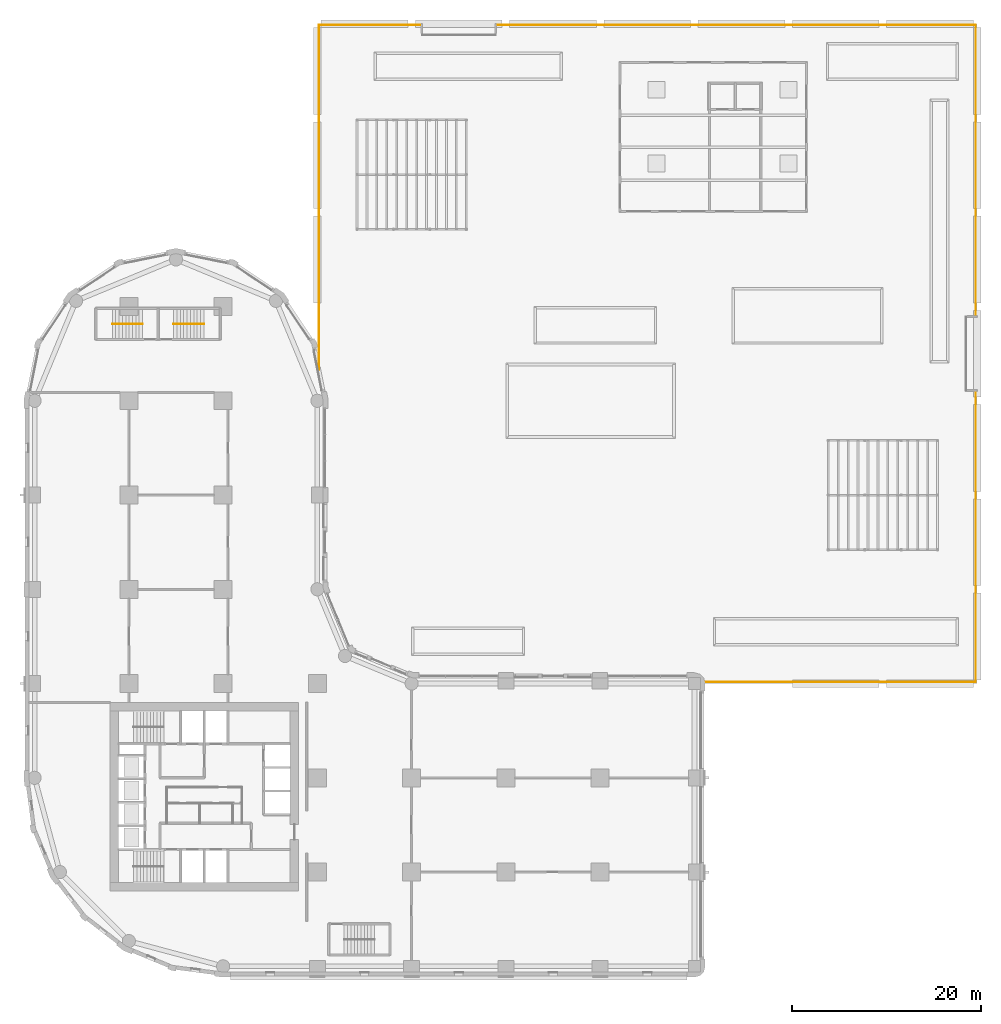
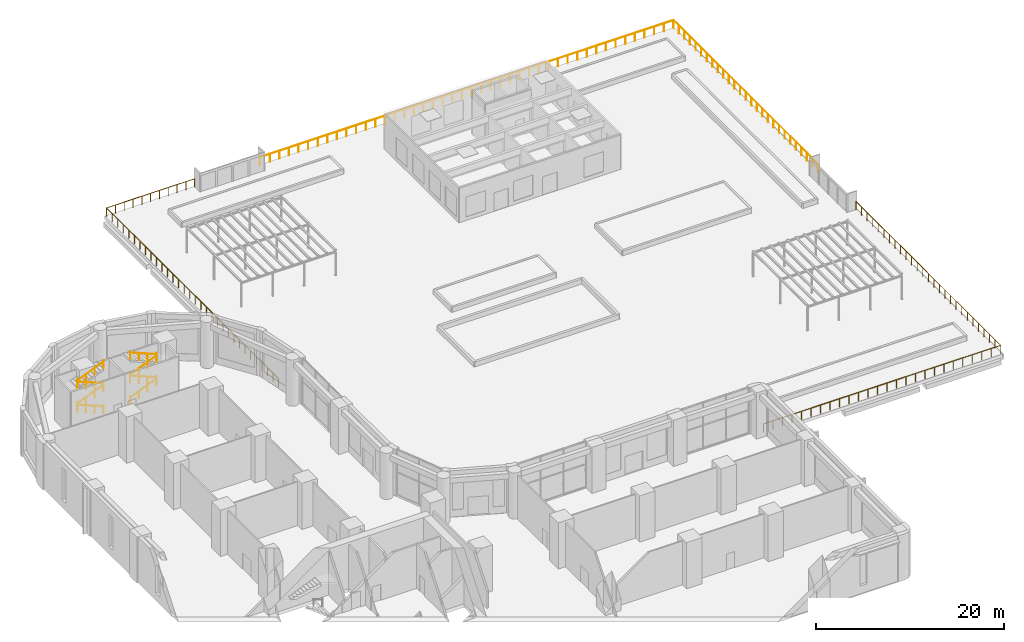
# One storey, part 27 of 28: 11 railings.
"""IFC4 building model written with IfcOpenShell, lengths in metres."""

from ifc_helpers import new_model, si_unit, direction, frame, origin, origin_2d, place, context, subcontext, project, spatial, circle, extrude, material, type_object, element, save


model = new_model("IFC4")

# Units and contexts
model_context = context("Model", 3, precision=1e-05, world=origin(), true_north=direction((0.0, 1.0)))
body_context = subcontext(model_context, "Body", "Model", "MODEL_VIEW")
ifc_project = project(units=[si_unit("LENGTHUNIT", "METRE"), si_unit("AREAUNIT", "SQUARE_METRE"), si_unit("VOLUMEUNIT", "CUBIC_METRE"), si_unit("PLANEANGLEUNIT", "RADIAN"), si_unit("MASSUNIT", "GRAM", prefix="KILO")], contexts=[model_context])

# Site, building, storey
site_placement = place(None, origin())
site = spatial("IfcSite", under=ifc_project, at=site_placement, CompositionType="ELEMENT")
building_placement = place(site_placement, origin())
building = spatial("IfcBuilding", under=site, at=building_placement, Name="Qaws Garden Tower", CompositionType="ELEMENT")
storey_placement = place(building_placement, frame((0.0, 0.0, 6.0)))
storey = spatial("IfcBuildingStorey", under=building, at=storey_placement, Name="L01", CompositionType="ELEMENT", Elevation=6.0)

# Railings
ifc_material_1 = material(Name="Glass and steel S355", Category="steel")
railing_type_1 = type_object("IfcRailingType", Name="Guard glass balustrade 1100", PredefinedType="GUARDRAIL", material=ifc_material_1)
railing_1_placement = place(storey_placement, frame((99.85009765625, 60.969970703125, 0.0)))
element("IfcRailing", 1, at=railing_1_placement, inside=storey, type_object=railing_type_1, Name="Deck guard", PredefinedType="GUARDRAIL", context=body_context, shape_type="SweptSolid", body=[
    extrude(circle(Radius=0.02392578125, at=origin_2d()), frame((0.0, 0.0, 1.076171875), z_axis=(0.0, -1.0, 0.0), x_axis=(1.0, 0.0, 0.0)), (0.0, 0.0, 1.0), 30.820068359375),
    extrude(circle(Radius=0.02392578125, at=origin_2d()), frame((0.0, -30.820068359375, 1.076171875), z_axis=(-1.0, 0.0, 0.0), x_axis=(0.0, -1.0, 0.0)), (0.0, 0.0, 1.0), 29.14990234375),
    extrude(circle(Radius=0.02099609375, at=origin_2d()), origin(), (0.0, 0.0, 1.0), 1.052001953125),
    extrude(circle(Radius=0.02099609375, at=origin_2d()), frame((0.0, -1.185302734375, 0.0)), (0.0, 0.0, 1.0), 1.052001953125),
    extrude(circle(Radius=0.02099609375, at=origin_2d()), frame((0.0, -2.370849609375, 0.0)), (0.0, 0.0, 1.0), 1.052001953125),
    extrude(circle(Radius=0.02099609375, at=origin_2d()), frame((0.0, -3.55615234375, 0.0)), (0.0, 0.0, 1.0), 1.052001953125),
    extrude(circle(Radius=0.02099609375, at=origin_2d()), frame((0.0, -4.741455078125, 0.0)), (0.0, 0.0, 1.0), 1.052001953125),
    extrude(circle(Radius=0.02099609375, at=origin_2d()), frame((0.0, -5.927001953125, 0.0)), (0.0, 0.0, 1.0), 1.052001953125),
    extrude(circle(Radius=0.02099609375, at=origin_2d()), frame((0.0, -7.1123046875, 0.0)), (0.0, 0.0, 1.0), 1.052001953125),
    extrude(circle(Radius=0.02099609375, at=origin_2d()), frame((0.0, -8.297607421875, 0.0)), (0.0, 0.0, 1.0), 1.052001953125),
    extrude(circle(Radius=0.02099609375, at=origin_2d()), frame((0.0, -9.483154296875, 0.0)), (0.0, 0.0, 1.0), 1.052001953125),
    extrude(circle(Radius=0.02099609375, at=origin_2d()), frame((0.0, -10.66845703125, 0.0)), (0.0, 0.0, 1.0), 1.052001953125),
    extrude(circle(Radius=0.02099609375, at=origin_2d()), frame((0.0, -11.853759765625, 0.0)), (0.0, 0.0, 1.0), 1.052001953125),
    extrude(circle(Radius=0.02099609375, at=origin_2d()), frame((0.0, -13.039306640625, 0.0)), (0.0, 0.0, 1.0), 1.052001953125),
    extrude(circle(Radius=0.02099609375, at=origin_2d()), frame((0.0, -14.224609375, 0.0)), (0.0, 0.0, 1.0), 1.052001953125),
    extrude(circle(Radius=0.02099609375, at=origin_2d()), frame((0.0, -15.41015625, 0.0)), (0.0, 0.0, 1.0), 1.052001953125),
    extrude(circle(Radius=0.02099609375, at=origin_2d()), frame((0.0, -16.595458984375, 0.0)), (0.0, 0.0, 1.0), 1.052001953125),
    extrude(circle(Radius=0.02099609375, at=origin_2d()), frame((0.0, -17.78076171875, 0.0)), (0.0, 0.0, 1.0), 1.052001953125),
    extrude(circle(Radius=0.02099609375, at=origin_2d()), frame((0.0, -18.96630859375, 0.0)), (0.0, 0.0, 1.0), 1.052001953125),
    extrude(circle(Radius=0.02099609375, at=origin_2d()), frame((0.0, -20.151611328125, 0.0)), (0.0, 0.0, 1.0), 1.052001953125),
    extrude(circle(Radius=0.02099609375, at=origin_2d()), frame((0.0, -21.3369140625, 0.0)), (0.0, 0.0, 1.0), 1.052001953125),
    extrude(circle(Radius=0.02099609375, at=origin_2d()), frame((0.0, -22.5224609375, 0.0)), (0.0, 0.0, 1.0), 1.052001953125),
    extrude(circle(Radius=0.02099609375, at=origin_2d()), frame((0.0, -23.707763671875, 0.0)), (0.0, 0.0, 1.0), 1.052001953125),
    extrude(circle(Radius=0.02099609375, at=origin_2d()), frame((0.0, -24.89306640625, 0.0)), (0.0, 0.0, 1.0), 1.052001953125),
    extrude(circle(Radius=0.02099609375, at=origin_2d()), frame((0.0, -26.07861328125, 0.0)), (0.0, 0.0, 1.0), 1.052001953125),
    extrude(circle(Radius=0.02099609375, at=origin_2d()), frame((0.0, -27.263916015625, 0.0)), (0.0, 0.0, 1.0), 1.052001953125),
    extrude(circle(Radius=0.02099609375, at=origin_2d()), frame((0.0, -28.44921875, 0.0)), (0.0, 0.0, 1.0), 1.052001953125),
    extrude(circle(Radius=0.02099609375, at=origin_2d()), frame((0.0, -29.634765625, 0.0)), (0.0, 0.0, 1.0), 1.052001953125),
    extrude(circle(Radius=0.02099609375, at=origin_2d()), frame((0.0, -30.820068359375, 0.0)), (0.0, 0.0, 1.0), 1.052001953125),
    extrude(circle(Radius=0.02099609375, at=origin_2d()), frame((-1.166015625, -30.820068359375, 0.0)), (0.0, 0.0, 1.0), 1.052001953125),
    extrude(circle(Radius=0.02099609375, at=origin_2d()), frame((-2.33203125, -30.820068359375, 0.0)), (0.0, 0.0, 1.0), 1.052001953125),
    extrude(circle(Radius=0.02099609375, at=origin_2d()), frame((-3.498046875, -30.820068359375, 0.0)), (0.0, 0.0, 1.0), 1.052001953125),
    extrude(circle(Radius=0.02099609375, at=origin_2d()), frame((-4.6640625, -30.820068359375, 0.0)), (0.0, 0.0, 1.0), 1.052001953125),
    extrude(circle(Radius=0.02099609375, at=origin_2d()), frame((-5.830078125, -30.820068359375, 0.0)), (0.0, 0.0, 1.0), 1.052001953125),
    extrude(circle(Radius=0.02099609375, at=origin_2d()), frame((-6.99609375, -30.820068359375, 0.0)), (0.0, 0.0, 1.0), 1.052001953125),
    extrude(circle(Radius=0.02099609375, at=origin_2d()), frame((-8.161865234375, -30.820068359375, 0.0)), (0.0, 0.0, 1.0), 1.052001953125),
    extrude(circle(Radius=0.02099609375, at=origin_2d()), frame((-9.327880859375, -30.820068359375, 0.0)), (0.0, 0.0, 1.0), 1.052001953125),
    extrude(circle(Radius=0.02099609375, at=origin_2d()), frame((-10.493896484375, -30.820068359375, 0.0)), (0.0, 0.0, 1.0), 1.052001953125),
    extrude(circle(Radius=0.02099609375, at=origin_2d()), frame((-11.659912109375, -30.820068359375, 0.0)), (0.0, 0.0, 1.0), 1.052001953125),
    extrude(circle(Radius=0.02099609375, at=origin_2d()), frame((-12.825927734375, -30.820068359375, 0.0)), (0.0, 0.0, 1.0), 1.052001953125),
    extrude(circle(Radius=0.02099609375, at=origin_2d()), frame((-13.991943359375, -30.820068359375, 0.0)), (0.0, 0.0, 1.0), 1.052001953125),
    extrude(circle(Radius=0.02099609375, at=origin_2d()), frame((-15.157958984375, -30.820068359375, 0.0)), (0.0, 0.0, 1.0), 1.052001953125),
    extrude(circle(Radius=0.02099609375, at=origin_2d()), frame((-16.323974609375, -30.820068359375, 0.0)), (0.0, 0.0, 1.0), 1.052001953125),
    extrude(circle(Radius=0.02099609375, at=origin_2d()), frame((-17.489990234375, -30.820068359375, 0.0)), (0.0, 0.0, 1.0), 1.052001953125),
    extrude(circle(Radius=0.02099609375, at=origin_2d()), frame((-18.656005859375, -30.820068359375, 0.0)), (0.0, 0.0, 1.0), 1.052001953125),
    extrude(circle(Radius=0.02099609375, at=origin_2d()), frame((-19.822021484375, -30.820068359375, 0.0)), (0.0, 0.0, 1.0), 1.052001953125),
    extrude(circle(Radius=0.02099609375, at=origin_2d()), frame((-20.988037109375, -30.820068359375, 0.0)), (0.0, 0.0, 1.0), 1.052001953125),
    extrude(circle(Radius=0.02099609375, at=origin_2d()), frame((-22.15380859375, -30.820068359375, 0.0)), (0.0, 0.0, 1.0), 1.052001953125),
    extrude(circle(Radius=0.02099609375, at=origin_2d()), frame((-23.31982421875, -30.820068359375, 0.0)), (0.0, 0.0, 1.0), 1.052001953125),
    extrude(circle(Radius=0.02099609375, at=origin_2d()), frame((-24.48583984375, -30.820068359375, 0.0)), (0.0, 0.0, 1.0), 1.052001953125),
    extrude(circle(Radius=0.02099609375, at=origin_2d()), frame((-25.65185546875, -30.820068359375, 0.0)), (0.0, 0.0, 1.0), 1.052001953125),
    extrude(circle(Radius=0.02099609375, at=origin_2d()), frame((-26.81787109375, -30.820068359375, 0.0)), (0.0, 0.0, 1.0), 1.052001953125),
    extrude(circle(Radius=0.02099609375, at=origin_2d()), frame((-27.98388671875, -30.820068359375, 0.0)), (0.0, 0.0, 1.0), 1.052001953125),
    extrude(circle(Radius=0.02099609375, at=origin_2d()), frame((-29.14990234375, -30.820068359375, 0.0)), (0.0, 0.0, 1.0), 1.052001953125),
])
railing_2_placement = place(storey_placement, frame((30.14990234375, 63.272705078125, 0.0)))
element("IfcRailing", 2, at=railing_2_placement, inside=storey, type_object=railing_type_1, Name="Deck guard", PredefinedType="GUARDRAIL", context=body_context, shape_type="SweptSolid", body=[
    extrude(circle(Radius=0.02392578125, at=origin_2d()), frame((0.0, 0.0, 1.076171875), z_axis=(0.0, 1.0, 0.0), x_axis=(-1.0, 0.0, 0.0)), (0.0, 0.0, 1.0), 36.577392578125),
    extrude(circle(Radius=0.02392578125, at=origin_2d()), frame((0.0, 36.577392578125, 1.076171875), z_axis=(1.0, 0.0, 0.0), x_axis=(0.0, 1.0, 0.0)), (0.0, 0.0, 1.0), 10.820068359375),
    extrude(circle(Radius=0.02099609375, at=origin_2d()), origin(), (0.0, 0.0, 1.0), 1.052001953125),
    extrude(circle(Radius=0.02099609375, at=origin_2d()), frame((0.0, 1.179931640625, 0.0)), (0.0, 0.0, 1.0), 1.052001953125),
    extrude(circle(Radius=0.02099609375, at=origin_2d()), frame((0.0, 2.35986328125, 0.0)), (0.0, 0.0, 1.0), 1.052001953125),
    extrude(circle(Radius=0.02099609375, at=origin_2d()), frame((0.0, 3.539794921875, 0.0)), (0.0, 0.0, 1.0), 1.052001953125),
    extrude(circle(Radius=0.02099609375, at=origin_2d()), frame((0.0, 4.7197265625, 0.0)), (0.0, 0.0, 1.0), 1.052001953125),
    extrude(circle(Radius=0.02099609375, at=origin_2d()), frame((0.0, 5.899658203125, 0.0)), (0.0, 0.0, 1.0), 1.052001953125),
    extrude(circle(Radius=0.02099609375, at=origin_2d()), frame((0.0, 7.07958984375, 0.0)), (0.0, 0.0, 1.0), 1.052001953125),
    extrude(circle(Radius=0.02099609375, at=origin_2d()), frame((0.0, 8.259521484375, 0.0)), (0.0, 0.0, 1.0), 1.052001953125),
    extrude(circle(Radius=0.02099609375, at=origin_2d()), frame((0.0, 9.439208984375, 0.0)), (0.0, 0.0, 1.0), 1.052001953125),
    extrude(circle(Radius=0.02099609375, at=origin_2d()), frame((0.0, 10.619140625, 0.0)), (0.0, 0.0, 1.0), 1.052001953125),
    extrude(circle(Radius=0.02099609375, at=origin_2d()), frame((0.0, 11.799072265625, 0.0)), (0.0, 0.0, 1.0), 1.052001953125),
    extrude(circle(Radius=0.02099609375, at=origin_2d()), frame((0.0, 12.97900390625, 0.0)), (0.0, 0.0, 1.0), 1.052001953125),
    extrude(circle(Radius=0.02099609375, at=origin_2d()), frame((0.0, 14.158935546875, 0.0)), (0.0, 0.0, 1.0), 1.052001953125),
    extrude(circle(Radius=0.02099609375, at=origin_2d()), frame((0.0, 15.3388671875, 0.0)), (0.0, 0.0, 1.0), 1.052001953125),
    extrude(circle(Radius=0.02099609375, at=origin_2d()), frame((0.0, 16.518798828125, 0.0)), (0.0, 0.0, 1.0), 1.052001953125),
    extrude(circle(Radius=0.02099609375, at=origin_2d()), frame((0.0, 17.69873046875, 0.0)), (0.0, 0.0, 1.0), 1.052001953125),
    extrude(circle(Radius=0.02099609375, at=origin_2d()), frame((0.0, 18.878662109375, 0.0)), (0.0, 0.0, 1.0), 1.052001953125),
    extrude(circle(Radius=0.02099609375, at=origin_2d()), frame((0.0, 20.05859375, 0.0)), (0.0, 0.0, 1.0), 1.052001953125),
    extrude(circle(Radius=0.02099609375, at=origin_2d()), frame((0.0, 21.238525390625, 0.0)), (0.0, 0.0, 1.0), 1.052001953125),
    extrude(circle(Radius=0.02099609375, at=origin_2d()), frame((0.0, 22.41845703125, 0.0)), (0.0, 0.0, 1.0), 1.052001953125),
    extrude(circle(Radius=0.02099609375, at=origin_2d()), frame((0.0, 23.598388671875, 0.0)), (0.0, 0.0, 1.0), 1.052001953125),
    extrude(circle(Radius=0.02099609375, at=origin_2d()), frame((0.0, 24.7783203125, 0.0)), (0.0, 0.0, 1.0), 1.052001953125),
    extrude(circle(Radius=0.02099609375, at=origin_2d()), frame((0.0, 25.958251953125, 0.0)), (0.0, 0.0, 1.0), 1.052001953125),
    extrude(circle(Radius=0.02099609375, at=origin_2d()), frame((0.0, 27.13818359375, 0.0)), (0.0, 0.0, 1.0), 1.052001953125),
    extrude(circle(Radius=0.02099609375, at=origin_2d()), frame((0.0, 28.31787109375, 0.0)), (0.0, 0.0, 1.0), 1.052001953125),
    extrude(circle(Radius=0.02099609375, at=origin_2d()), frame((0.0, 29.497802734375, 0.0)), (0.0, 0.0, 1.0), 1.052001953125),
    extrude(circle(Radius=0.02099609375, at=origin_2d()), frame((0.0, 30.677734375, 0.0)), (0.0, 0.0, 1.0), 1.052001953125),
    extrude(circle(Radius=0.02099609375, at=origin_2d()), frame((0.0, 31.857666015625, 0.0)), (0.0, 0.0, 1.0), 1.052001953125),
    extrude(circle(Radius=0.02099609375, at=origin_2d()), frame((0.0, 33.03759765625, 0.0)), (0.0, 0.0, 1.0), 1.052001953125),
    extrude(circle(Radius=0.02099609375, at=origin_2d()), frame((0.0, 34.217529296875, 0.0)), (0.0, 0.0, 1.0), 1.052001953125),
    extrude(circle(Radius=0.02099609375, at=origin_2d()), frame((0.0, 35.3974609375, 0.0)), (0.0, 0.0, 1.0), 1.052001953125),
    extrude(circle(Radius=0.02099609375, at=origin_2d()), frame((0.0, 36.577392578125, 0.0)), (0.0, 0.0, 1.0), 1.052001953125),
    extrude(circle(Radius=0.02099609375, at=origin_2d()), frame((1.08203125, 36.577392578125, 0.0)), (0.0, 0.0, 1.0), 1.052001953125),
    extrude(circle(Radius=0.02099609375, at=origin_2d()), frame((2.1640625, 36.577392578125, 0.0)), (0.0, 0.0, 1.0), 1.052001953125),
    extrude(circle(Radius=0.02099609375, at=origin_2d()), frame((3.24609375, 36.577392578125, 0.0)), (0.0, 0.0, 1.0), 1.052001953125),
    extrude(circle(Radius=0.02099609375, at=origin_2d()), frame((4.328125, 36.577392578125, 0.0)), (0.0, 0.0, 1.0), 1.052001953125),
    extrude(circle(Radius=0.02099609375, at=origin_2d()), frame((5.41015625, 36.577392578125, 0.0)), (0.0, 0.0, 1.0), 1.052001953125),
    extrude(circle(Radius=0.02099609375, at=origin_2d()), frame((6.491943359375, 36.577392578125, 0.0)), (0.0, 0.0, 1.0), 1.052001953125),
    extrude(circle(Radius=0.02099609375, at=origin_2d()), frame((7.573974609375, 36.577392578125, 0.0)), (0.0, 0.0, 1.0), 1.052001953125),
    extrude(circle(Radius=0.02099609375, at=origin_2d()), frame((8.656005859375, 36.577392578125, 0.0)), (0.0, 0.0, 1.0), 1.052001953125),
    extrude(circle(Radius=0.02099609375, at=origin_2d()), frame((9.738037109375, 36.577392578125, 0.0)), (0.0, 0.0, 1.0), 1.052001953125),
    extrude(circle(Radius=0.02099609375, at=origin_2d()), frame((10.820068359375, 36.577392578125, 0.0)), (0.0, 0.0, 1.0), 1.052001953125),
])
railing_3_placement = place(storey_placement, frame((49.030029296875, 99.85009765625, 0.0)))
element("IfcRailing", 3, at=railing_3_placement, inside=storey, type_object=railing_type_1, Name="Deck guard", PredefinedType="GUARDRAIL", context=body_context, shape_type="SweptSolid", body=[
    extrude(circle(Radius=0.02392578125, at=origin_2d()), frame((0.0, 0.0, 1.076171875), z_axis=(1.0, 0.0, 0.0), x_axis=(0.0, 1.0, 0.0)), (0.0, 0.0, 1.0), 50.820068359375),
    extrude(circle(Radius=0.02392578125, at=origin_2d()), frame((50.820068359375, 0.0, 1.076171875), z_axis=(0.0, -1.0, 0.0), x_axis=(1.0, 0.0, 0.0)), (0.0, 0.0, 1.0), 30.820068359375),
    extrude(circle(Radius=0.02099609375, at=origin_2d()), origin(), (0.0, 0.0, 1.0), 1.052001953125),
    extrude(circle(Radius=0.02099609375, at=origin_2d()), frame((1.181884765625, 0.0, 0.0)), (0.0, 0.0, 1.0), 1.052001953125),
    extrude(circle(Radius=0.02099609375, at=origin_2d()), frame((2.36376953125, 0.0, 0.0)), (0.0, 0.0, 1.0), 1.052001953125),
    extrude(circle(Radius=0.02099609375, at=origin_2d()), frame((3.545654296875, 0.0, 0.0)), (0.0, 0.0, 1.0), 1.052001953125),
    extrude(circle(Radius=0.02099609375, at=origin_2d()), frame((4.7275390625, 0.0, 0.0)), (0.0, 0.0, 1.0), 1.052001953125),
    extrude(circle(Radius=0.02099609375, at=origin_2d()), frame((5.909423828125, 0.0, 0.0)), (0.0, 0.0, 1.0), 1.052001953125),
    extrude(circle(Radius=0.02099609375, at=origin_2d()), frame((7.091064453125, 0.0, 0.0)), (0.0, 0.0, 1.0), 1.052001953125),
    extrude(circle(Radius=0.02099609375, at=origin_2d()), frame((8.27294921875, 0.0, 0.0)), (0.0, 0.0, 1.0), 1.052001953125),
    extrude(circle(Radius=0.02099609375, at=origin_2d()), frame((9.454833984375, 0.0, 0.0)), (0.0, 0.0, 1.0), 1.052001953125),
    extrude(circle(Radius=0.02099609375, at=origin_2d()), frame((10.63671875, 0.0, 0.0)), (0.0, 0.0, 1.0), 1.052001953125),
    extrude(circle(Radius=0.02099609375, at=origin_2d()), frame((11.818603515625, 0.0, 0.0)), (0.0, 0.0, 1.0), 1.052001953125),
    extrude(circle(Radius=0.02099609375, at=origin_2d()), frame((13.00048828125, 0.0, 0.0)), (0.0, 0.0, 1.0), 1.052001953125),
    extrude(circle(Radius=0.02099609375, at=origin_2d()), frame((14.182373046875, 0.0, 0.0)), (0.0, 0.0, 1.0), 1.052001953125),
    extrude(circle(Radius=0.02099609375, at=origin_2d()), frame((15.3642578125, 0.0, 0.0)), (0.0, 0.0, 1.0), 1.052001953125),
    extrude(circle(Radius=0.02099609375, at=origin_2d()), frame((16.546142578125, 0.0, 0.0)), (0.0, 0.0, 1.0), 1.052001953125),
    extrude(circle(Radius=0.02099609375, at=origin_2d()), frame((17.72802734375, 0.0, 0.0)), (0.0, 0.0, 1.0), 1.052001953125),
    extrude(circle(Radius=0.02099609375, at=origin_2d()), frame((18.909912109375, 0.0, 0.0)), (0.0, 0.0, 1.0), 1.052001953125),
    extrude(circle(Radius=0.02099609375, at=origin_2d()), frame((20.091552734375, 0.0, 0.0)), (0.0, 0.0, 1.0), 1.052001953125),
    extrude(circle(Radius=0.02099609375, at=origin_2d()), frame((21.2734375, 0.0, 0.0)), (0.0, 0.0, 1.0), 1.052001953125),
    extrude(circle(Radius=0.02099609375, at=origin_2d()), frame((22.455322265625, 0.0, 0.0)), (0.0, 0.0, 1.0), 1.052001953125),
    extrude(circle(Radius=0.02099609375, at=origin_2d()), frame((23.63720703125, 0.0, 0.0)), (0.0, 0.0, 1.0), 1.052001953125),
    extrude(circle(Radius=0.02099609375, at=origin_2d()), frame((24.819091796875, 0.0, 0.0)), (0.0, 0.0, 1.0), 1.052001953125),
    extrude(circle(Radius=0.02099609375, at=origin_2d()), frame((26.0009765625, 0.0, 0.0)), (0.0, 0.0, 1.0), 1.052001953125),
    extrude(circle(Radius=0.02099609375, at=origin_2d()), frame((27.182861328125, 0.0, 0.0)), (0.0, 0.0, 1.0), 1.052001953125),
    extrude(circle(Radius=0.02099609375, at=origin_2d()), frame((28.36474609375, 0.0, 0.0)), (0.0, 0.0, 1.0), 1.052001953125),
    extrude(circle(Radius=0.02099609375, at=origin_2d()), frame((29.546630859375, 0.0, 0.0)), (0.0, 0.0, 1.0), 1.052001953125),
    extrude(circle(Radius=0.02099609375, at=origin_2d()), frame((30.728515625, 0.0, 0.0)), (0.0, 0.0, 1.0), 1.052001953125),
    extrude(circle(Radius=0.02099609375, at=origin_2d()), frame((31.91015625, 0.0, 0.0)), (0.0, 0.0, 1.0), 1.052001953125),
    extrude(circle(Radius=0.02099609375, at=origin_2d()), frame((33.092041015625, 0.0, 0.0)), (0.0, 0.0, 1.0), 1.052001953125),
    extrude(circle(Radius=0.02099609375, at=origin_2d()), frame((34.27392578125, 0.0, 0.0)), (0.0, 0.0, 1.0), 1.052001953125),
    extrude(circle(Radius=0.02099609375, at=origin_2d()), frame((35.455810546875, 0.0, 0.0)), (0.0, 0.0, 1.0), 1.052001953125),
    extrude(circle(Radius=0.02099609375, at=origin_2d()), frame((36.6376953125, 0.0, 0.0)), (0.0, 0.0, 1.0), 1.052001953125),
    extrude(circle(Radius=0.02099609375, at=origin_2d()), frame((37.819580078125, 0.0, 0.0)), (0.0, 0.0, 1.0), 1.052001953125),
    extrude(circle(Radius=0.02099609375, at=origin_2d()), frame((39.00146484375, 0.0, 0.0)), (0.0, 0.0, 1.0), 1.052001953125),
    extrude(circle(Radius=0.02099609375, at=origin_2d()), frame((40.183349609375, 0.0, 0.0)), (0.0, 0.0, 1.0), 1.052001953125),
    extrude(circle(Radius=0.02099609375, at=origin_2d()), frame((41.365234375, 0.0, 0.0)), (0.0, 0.0, 1.0), 1.052001953125),
    extrude(circle(Radius=0.02099609375, at=origin_2d()), frame((42.547119140625, 0.0, 0.0)), (0.0, 0.0, 1.0), 1.052001953125),
    extrude(circle(Radius=0.02099609375, at=origin_2d()), frame((43.72900390625, 0.0, 0.0)), (0.0, 0.0, 1.0), 1.052001953125),
    extrude(circle(Radius=0.02099609375, at=origin_2d()), frame((44.91064453125, 0.0, 0.0)), (0.0, 0.0, 1.0), 1.052001953125),
    extrude(circle(Radius=0.02099609375, at=origin_2d()), frame((46.092529296875, 0.0, 0.0)), (0.0, 0.0, 1.0), 1.052001953125),
    extrude(circle(Radius=0.02099609375, at=origin_2d()), frame((47.2744140625, 0.0, 0.0)), (0.0, 0.0, 1.0), 1.052001953125),
    extrude(circle(Radius=0.02099609375, at=origin_2d()), frame((48.456298828125, 0.0, 0.0)), (0.0, 0.0, 1.0), 1.052001953125),
    extrude(circle(Radius=0.02099609375, at=origin_2d()), frame((49.63818359375, 0.0, 0.0)), (0.0, 0.0, 1.0), 1.052001953125),
    extrude(circle(Radius=0.02099609375, at=origin_2d()), frame((50.820068359375, 0.0, 0.0)), (0.0, 0.0, 1.0), 1.052001953125),
    extrude(circle(Radius=0.02099609375, at=origin_2d()), frame((50.820068359375, -1.185302734375, 0.0)), (0.0, 0.0, 1.0), 1.052001953125),
    extrude(circle(Radius=0.02099609375, at=origin_2d()), frame((50.820068359375, -2.370849609375, 0.0)), (0.0, 0.0, 1.0), 1.052001953125),
    extrude(circle(Radius=0.02099609375, at=origin_2d()), frame((50.820068359375, -3.55615234375, 0.0)), (0.0, 0.0, 1.0), 1.052001953125),
    extrude(circle(Radius=0.02099609375, at=origin_2d()), frame((50.820068359375, -4.741455078125, 0.0)), (0.0, 0.0, 1.0), 1.052001953125),
    extrude(circle(Radius=0.02099609375, at=origin_2d()), frame((50.820068359375, -5.927001953125, 0.0)), (0.0, 0.0, 1.0), 1.052001953125),
    extrude(circle(Radius=0.02099609375, at=origin_2d()), frame((50.820068359375, -7.1123046875, 0.0)), (0.0, 0.0, 1.0), 1.052001953125),
    extrude(circle(Radius=0.02099609375, at=origin_2d()), frame((50.820068359375, -8.297607421875, 0.0)), (0.0, 0.0, 1.0), 1.052001953125),
    extrude(circle(Radius=0.02099609375, at=origin_2d()), frame((50.820068359375, -9.483154296875, 0.0)), (0.0, 0.0, 1.0), 1.052001953125),
    extrude(circle(Radius=0.02099609375, at=origin_2d()), frame((50.820068359375, -10.66845703125, 0.0)), (0.0, 0.0, 1.0), 1.052001953125),
    extrude(circle(Radius=0.02099609375, at=origin_2d()), frame((50.820068359375, -11.853759765625, 0.0)), (0.0, 0.0, 1.0), 1.052001953125),
    extrude(circle(Radius=0.02099609375, at=origin_2d()), frame((50.820068359375, -13.039306640625, 0.0)), (0.0, 0.0, 1.0), 1.052001953125),
    extrude(circle(Radius=0.02099609375, at=origin_2d()), frame((50.820068359375, -14.224609375, 0.0)), (0.0, 0.0, 1.0), 1.052001953125),
    extrude(circle(Radius=0.02099609375, at=origin_2d()), frame((50.820068359375, -15.41015625, 0.0)), (0.0, 0.0, 1.0), 1.052001953125),
    extrude(circle(Radius=0.02099609375, at=origin_2d()), frame((50.820068359375, -16.595458984375, 0.0)), (0.0, 0.0, 1.0), 1.052001953125),
    extrude(circle(Radius=0.02099609375, at=origin_2d()), frame((50.820068359375, -17.78076171875, 0.0)), (0.0, 0.0, 1.0), 1.052001953125),
    extrude(circle(Radius=0.02099609375, at=origin_2d()), frame((50.820068359375, -18.96630859375, 0.0)), (0.0, 0.0, 1.0), 1.052001953125),
    extrude(circle(Radius=0.02099609375, at=origin_2d()), frame((50.820068359375, -20.151611328125, 0.0)), (0.0, 0.0, 1.0), 1.052001953125),
    extrude(circle(Radius=0.02099609375, at=origin_2d()), frame((50.820068359375, -21.3369140625, 0.0)), (0.0, 0.0, 1.0), 1.052001953125),
    extrude(circle(Radius=0.02099609375, at=origin_2d()), frame((50.820068359375, -22.5224609375, 0.0)), (0.0, 0.0, 1.0), 1.052001953125),
    extrude(circle(Radius=0.02099609375, at=origin_2d()), frame((50.820068359375, -23.707763671875, 0.0)), (0.0, 0.0, 1.0), 1.052001953125),
    extrude(circle(Radius=0.02099609375, at=origin_2d()), frame((50.820068359375, -24.89306640625, 0.0)), (0.0, 0.0, 1.0), 1.052001953125),
    extrude(circle(Radius=0.02099609375, at=origin_2d()), frame((50.820068359375, -26.07861328125, 0.0)), (0.0, 0.0, 1.0), 1.052001953125),
    extrude(circle(Radius=0.02099609375, at=origin_2d()), frame((50.820068359375, -27.263916015625, 0.0)), (0.0, 0.0, 1.0), 1.052001953125),
    extrude(circle(Radius=0.02099609375, at=origin_2d()), frame((50.820068359375, -28.44921875, 0.0)), (0.0, 0.0, 1.0), 1.052001953125),
    extrude(circle(Radius=0.02099609375, at=origin_2d()), frame((50.820068359375, -29.634765625, 0.0)), (0.0, 0.0, 1.0), 1.052001953125),
    extrude(circle(Radius=0.02099609375, at=origin_2d()), frame((50.820068359375, -30.820068359375, 0.0)), (0.0, 0.0, 1.0), 1.052001953125),
])
ifc_material_2 = material(Name="Steel S355", Category="steel")
railing_type_2 = type_object("IfcRailingType", Name="Stair handrail 900", PredefinedType="HANDRAIL", material=ifc_material_2)
railing_4_placement = place(storey_placement, frame((11.449951171875, 68.14990234375, 0.14990234375)))
element("IfcRailing", 4, at=railing_4_placement, inside=storey, type_object=railing_type_2, Name="Stair 6 handrail", PredefinedType="HANDRAIL", context=body_context, shape_type="SweptSolid", body=[
    extrude(circle(Radius=0.02392578125, at=origin_2d()), frame((0.0, 0.0, 0.8759765625), z_axis=(-0.921521658771, 0.0, 0.388326965862), x_axis=(0.0, -1.0, 0.0)), (0.0, 0.0, 1.0), 3.476806640625),
    extrude(circle(Radius=0.02099609375, at=origin_2d()), origin(), (0.0, 0.0, 1.0), 1.050048828125),
    extrude(circle(Radius=0.02099609375, at=origin_2d()), frame((-1.06787109375, 0.0, 0.449951171875)), (0.0, 0.0, 1.0), 0.851806640625),
    extrude(circle(Radius=0.02099609375, at=origin_2d()), frame((-2.135986328125, 0.0, 0.900146484375)), (0.0, 0.0, 1.0), 0.851806640625),
    extrude(circle(Radius=0.02099609375, at=origin_2d()), frame((-3.203857421875, 0.0, 1.35009765625)), (0.0, 0.0, 1.0), 1.050048828125),
])
railing_5_placement = place(storey_placement, frame((8.24609375, 68.14990234375, 1.64990234375)))
element("IfcRailing", 5, at=railing_5_placement, inside=storey, type_object=railing_type_2, Name="Stair 6 handrail", PredefinedType="HANDRAIL", context=body_context, shape_type="SweptSolid", body=[
    extrude(circle(Radius=0.02392578125, at=origin_2d()), frame((0.0, 0.0, 0.8759765625), z_axis=(0.921521658771, 0.0, 0.388326965862), x_axis=(0.0, 1.0, 0.0)), (0.0, 0.0, 1.0), 3.476806640625),
    extrude(circle(Radius=0.02099609375, at=origin_2d()), origin(), (0.0, 0.0, 1.0), 1.050048828125),
    extrude(circle(Radius=0.02099609375, at=origin_2d()), frame((1.06787109375, 0.0, 0.449951171875)), (0.0, 0.0, 1.0), 0.851806640625),
    extrude(circle(Radius=0.02099609375, at=origin_2d()), frame((2.135986328125, 0.0, 0.900146484375)), (0.0, 0.0, 1.0), 0.851806640625),
    extrude(circle(Radius=0.02099609375, at=origin_2d()), frame((3.203857421875, 0.0, 1.35009765625)), (0.0, 0.0, 1.0), 1.050048828125),
])
railing_6_placement = place(storey_placement, frame((11.449951171875, 68.14990234375, 3.14990234375)))
element("IfcRailing", 6, at=railing_6_placement, inside=storey, type_object=railing_type_2, Name="Stair 6 handrail", PredefinedType="HANDRAIL", context=body_context, shape_type="SweptSolid", body=[
    extrude(circle(Radius=0.02392578125, at=origin_2d()), frame((0.0, 0.0, 0.8759765625), z_axis=(-0.921521658771, 0.0, 0.388326965862), x_axis=(0.0, -1.0, 0.0)), (0.0, 0.0, 1.0), 3.476806640625),
    extrude(circle(Radius=0.02099609375, at=origin_2d()), origin(), (0.0, 0.0, 1.0), 1.050048828125),
    extrude(circle(Radius=0.02099609375, at=origin_2d()), frame((-1.06787109375, 0.0, 0.449951171875)), (0.0, 0.0, 1.0), 0.851806640625),
    extrude(circle(Radius=0.02099609375, at=origin_2d()), frame((-2.135986328125, 0.0, 0.900146484375)), (0.0, 0.0, 1.0), 0.851806640625),
    extrude(circle(Radius=0.02099609375, at=origin_2d()), frame((-3.203857421875, 0.0, 1.35009765625)), (0.0, 0.0, 1.0), 1.050048828125),
])
railing_7_placement = place(storey_placement, frame((8.24609375, 68.14990234375, 4.64990234375)))
element("IfcRailing", 7, at=railing_7_placement, inside=storey, type_object=railing_type_2, Name="Stair 6 handrail", PredefinedType="HANDRAIL", context=body_context, shape_type="SweptSolid", body=[
    extrude(circle(Radius=0.02392578125, at=origin_2d()), frame((0.0, 0.0, 0.8759765625), z_axis=(0.921521658771, 0.0, 0.388326965862), x_axis=(0.0, 1.0, 0.0)), (0.0, 0.0, 1.0), 3.476806640625),
    extrude(circle(Radius=0.02099609375, at=origin_2d()), origin(), (0.0, 0.0, 1.0), 1.050048828125),
    extrude(circle(Radius=0.02099609375, at=origin_2d()), frame((1.06787109375, 0.0, 0.449951171875)), (0.0, 0.0, 1.0), 0.851806640625),
    extrude(circle(Radius=0.02099609375, at=origin_2d()), frame((2.135986328125, 0.0, 0.900146484375)), (0.0, 0.0, 1.0), 0.851806640625),
    extrude(circle(Radius=0.02099609375, at=origin_2d()), frame((3.203857421875, 0.0, 1.35009765625)), (0.0, 0.0, 1.0), 1.050048828125),
])
railing_8_placement = place(storey_placement, frame((14.75, 68.14990234375, 0.14990234375)))
element("IfcRailing", 8, at=railing_8_placement, inside=storey, type_object=railing_type_2, Name="Stair 7 handrail", PredefinedType="HANDRAIL", context=body_context, shape_type="SweptSolid", body=[
    extrude(circle(Radius=0.02392578125, at=origin_2d()), frame((0.0, 0.0, 0.8759765625), z_axis=(0.92153224705, 0.0, 0.388301838326), x_axis=(0.0, 1.0, 0.0)), (0.0, 0.0, 1.0), 3.476806640625),
    extrude(circle(Radius=0.02099609375, at=origin_2d()), origin(), (0.0, 0.0, 1.0), 1.050048828125),
    extrude(circle(Radius=0.02099609375, at=origin_2d()), frame((1.068115234375, 0.0, 0.449951171875)), (0.0, 0.0, 1.0), 0.851806640625),
    extrude(circle(Radius=0.02099609375, at=origin_2d()), frame((2.135986328125, 0.0, 0.900146484375)), (0.0, 0.0, 1.0), 0.851806640625),
    extrude(circle(Radius=0.02099609375, at=origin_2d()), frame((3.2041015625, 0.0, 1.35009765625)), (0.0, 0.0, 1.0), 1.050048828125),
])
railing_9_placement = place(storey_placement, frame((17.9541015625, 68.14990234375, 1.64990234375)))
element("IfcRailing", 9, at=railing_9_placement, inside=storey, type_object=railing_type_2, Name="Stair 7 handrail", PredefinedType="HANDRAIL", context=body_context, shape_type="SweptSolid", body=[
    extrude(circle(Radius=0.02392578125, at=origin_2d()), frame((0.0, 0.0, 0.8759765625), z_axis=(-0.92153224705, 0.0, 0.388301838326), x_axis=(0.0, -1.0, 0.0)), (0.0, 0.0, 1.0), 3.476806640625),
    extrude(circle(Radius=0.02099609375, at=origin_2d()), origin(), (0.0, 0.0, 1.0), 1.050048828125),
    extrude(circle(Radius=0.02099609375, at=origin_2d()), frame((-1.068115234375, 0.0, 0.449951171875)), (0.0, 0.0, 1.0), 0.851806640625),
    extrude(circle(Radius=0.02099609375, at=origin_2d()), frame((-2.135986328125, 0.0, 0.900146484375)), (0.0, 0.0, 1.0), 0.851806640625),
    extrude(circle(Radius=0.02099609375, at=origin_2d()), frame((-3.2041015625, 0.0, 1.35009765625)), (0.0, 0.0, 1.0), 1.050048828125),
])
railing_10_placement = place(storey_placement, frame((14.75, 68.14990234375, 3.14990234375)))
element("IfcRailing", 10, at=railing_10_placement, inside=storey, type_object=railing_type_2, Name="Stair 7 handrail", PredefinedType="HANDRAIL", context=body_context, shape_type="SweptSolid", body=[
    extrude(circle(Radius=0.02392578125, at=origin_2d()), frame((0.0, 0.0, 0.8759765625), z_axis=(0.92153224705, 0.0, 0.388301838326), x_axis=(0.0, 1.0, 0.0)), (0.0, 0.0, 1.0), 3.476806640625),
    extrude(circle(Radius=0.02099609375, at=origin_2d()), origin(), (0.0, 0.0, 1.0), 1.050048828125),
    extrude(circle(Radius=0.02099609375, at=origin_2d()), frame((1.068115234375, 0.0, 0.449951171875)), (0.0, 0.0, 1.0), 0.851806640625),
    extrude(circle(Radius=0.02099609375, at=origin_2d()), frame((2.135986328125, 0.0, 0.900146484375)), (0.0, 0.0, 1.0), 0.851806640625),
    extrude(circle(Radius=0.02099609375, at=origin_2d()), frame((3.2041015625, 0.0, 1.35009765625)), (0.0, 0.0, 1.0), 1.050048828125),
])
railing_11_placement = place(storey_placement, frame((17.9541015625, 68.14990234375, 4.64990234375)))
element("IfcRailing", 11, at=railing_11_placement, inside=storey, type_object=railing_type_2, Name="Stair 7 handrail", PredefinedType="HANDRAIL", context=body_context, shape_type="SweptSolid", body=[
    extrude(circle(Radius=0.02392578125, at=origin_2d()), frame((0.0, 0.0, 0.8759765625), z_axis=(-0.92153224705, 0.0, 0.388301838326), x_axis=(0.0, -1.0, 0.0)), (0.0, 0.0, 1.0), 3.476806640625),
    extrude(circle(Radius=0.02099609375, at=origin_2d()), origin(), (0.0, 0.0, 1.0), 1.050048828125),
    extrude(circle(Radius=0.02099609375, at=origin_2d()), frame((-1.068115234375, 0.0, 0.449951171875)), (0.0, 0.0, 1.0), 0.851806640625),
    extrude(circle(Radius=0.02099609375, at=origin_2d()), frame((-2.135986328125, 0.0, 0.900146484375)), (0.0, 0.0, 1.0), 0.851806640625),
    extrude(circle(Radius=0.02099609375, at=origin_2d()), frame((-3.2041015625, 0.0, 1.35009765625)), (0.0, 0.0, 1.0), 1.050048828125),
])

save(model, "model.ifc")
